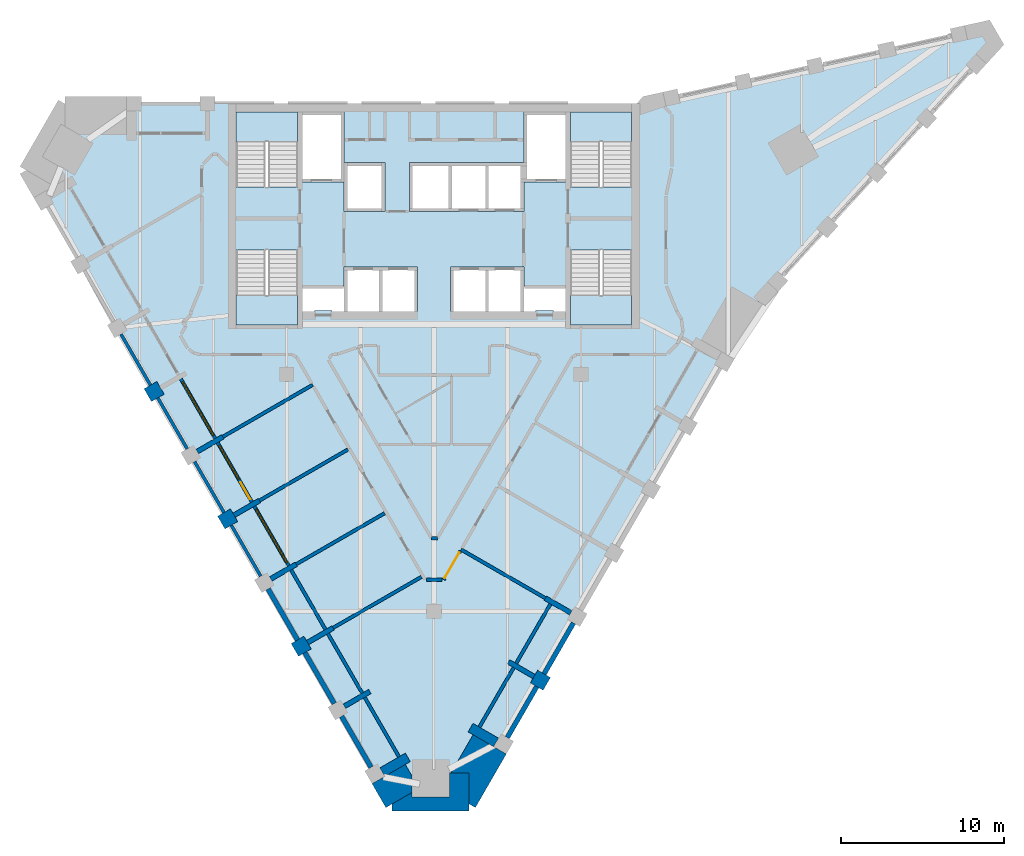
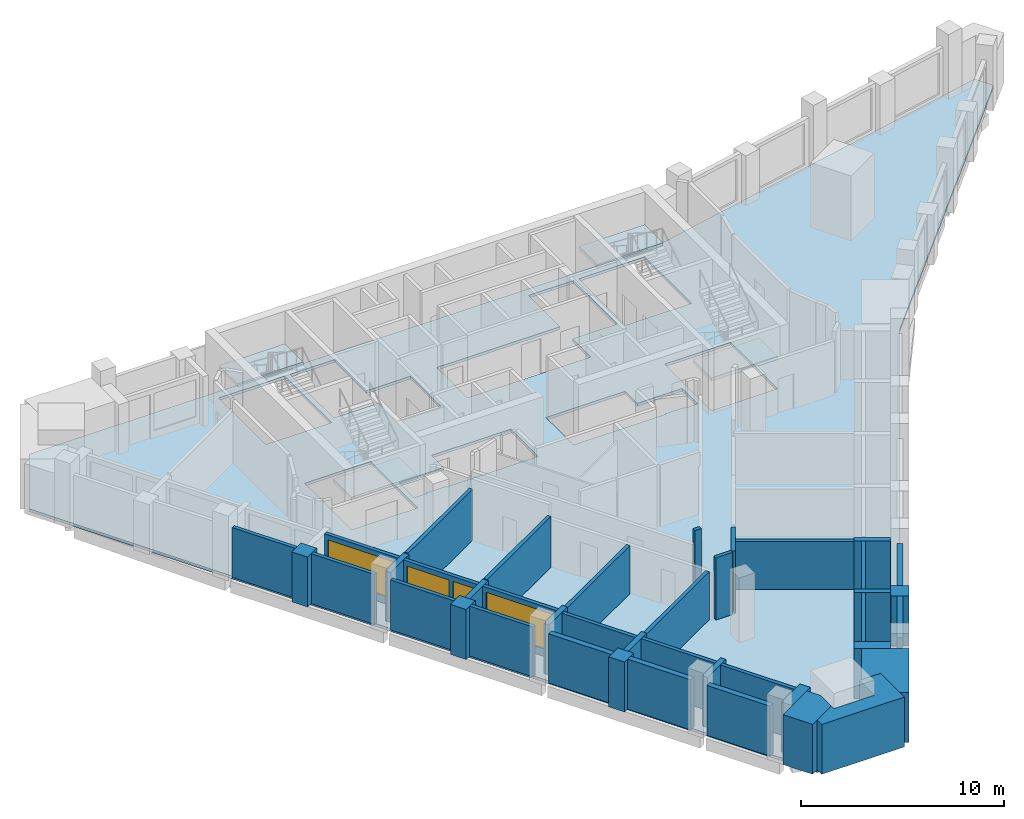
# One storey, part 2 of 8: 41 walls, 5 slabs, 3 windows, 2 doors, 5 openings, 4 elements without a shape of their own.
"""IFC4 building model written with IfcOpenShell, lengths in metres."""

from ifc_helpers import new_model, si_unit, direction, frame, frame_2d, origin, place, context, subcontext, project, spatial, polyline, rectangle, outline, extrude, material, layer, layer_set, type_object, element, fill, aggregate, save


model = new_model("IFC4")

# Units and contexts
model_context = context("Model", 3, precision=1e-05, world=origin(), true_north=direction((0.0, 1.0)))
body_context = subcontext(model_context, "Body", "Model", "MODEL_VIEW")
ifc_project = project(units=[si_unit("LENGTHUNIT", "METRE"), si_unit("AREAUNIT", "SQUARE_METRE"), si_unit("VOLUMEUNIT", "CUBIC_METRE"), si_unit("PLANEANGLEUNIT", "RADIAN"), si_unit("MASSUNIT", "GRAM", prefix="KILO")], contexts=[model_context])

# Site, building, storey
site_placement = place(None, origin())
site = spatial("IfcSite", under=ifc_project, at=site_placement, CompositionType="ELEMENT")
building_placement = place(site_placement, origin())
building = spatial("IfcBuilding", under=site, at=building_placement, Name="Calabash Gate Tower", CompositionType="ELEMENT")
storey_placement = place(building_placement, frame((0.0, 0.0, 252.10009765625)))
storey = spatial("IfcBuildingStorey", under=building, at=storey_placement, Name="L60", CompositionType="ELEMENT", Elevation=252.10009765625)

# Slab
ifc_material_1 = material(Name="Concrete C40/50", Category="concrete")
ifc_layer_1 = layer(ifc_material_1, 0.169921875)
ifc_layer_set_1 = layer_set([ifc_layer_1], Name="Composite floor slab 170 Concrete C40/50")
slab_type_1 = type_object("IfcSlabType", Name="Composite floor slab 170 Concrete C40/50", PredefinedType="FLOOR", material=ifc_layer_set_1)
slab_1_placement = place(storey_placement, frame((0.0, 0.0, -0.170166015625)))
element("IfcSlab", 1, at=slab_1_placement, inside=storey, type_object=slab_type_1, Name="Floor slab L60", PredefinedType="FLOOR", context=body_context, shape_type="SweptSolid", body=[
    extrude(outline(polyline([(-24.941650390625, 14.9833984375), (-22.59228515625, 19.052490234375), (12.88134765625, 19.052490234375), (33.783935546875, 23.664794921875), (34.326904296875, 22.724365234375), (19.88134765625, 6.92822265625), (2.14453125, -23.79296875), (-2.553955078125, -23.79296875), (-24.941650390625, 14.9833984375)]), holes=[polyline([(-1.0, 9.052490234375), (-3.25, 9.052490234375), (-5.5, 9.052490234375), (-5.5, 7.8525390625), (-8.050048828125, 7.8525390625), (-8.050048828125, 6.3525390625), (-7.324951171875, 6.3525390625), (-7.324951171875, 6.402587890625), (-6.22509765625, 6.402587890625), (-6.22509765625, 6.3525390625), (-5.5, 6.3525390625), (-3.25, 6.3525390625), (-1.0, 6.3525390625), (-1.0, 9.052490234375)]), polyline([(3.25, 6.3525390625), (5.5, 6.3525390625), (6.22509765625, 6.3525390625), (6.22509765625, 6.402587890625), (7.324951171875, 6.402587890625), (7.324951171875, 6.3525390625), (8.050048828125, 6.3525390625), (8.050048828125, 7.8525390625), (5.5, 7.8525390625), (5.5, 9.052490234375), (3.25, 9.052490234375), (1.0, 9.052490234375), (1.0, 6.3525390625), (3.25, 6.3525390625)]), polyline([(-5.5, 14.252685546875), (-5.5, 12.45263671875), (-3.0, 12.45263671875), (-3.0, 15.45263671875), (-5.5, 15.45263671875), (-5.5, 18.552490234375), (-8.050048828125, 18.552490234375), (-8.050048828125, 14.252685546875), (-5.5, 14.252685546875)]), polyline([(1.0, 15.45263671875), (-1.5, 15.45263671875), (-1.5, 12.45263671875), (1.0, 12.45263671875), (3.25, 12.45263671875), (5.5, 12.45263671875), (5.5, 14.252685546875), (8.050048828125, 14.252685546875), (8.050048828125, 18.552490234375), (5.5, 18.552490234375), (5.5, 15.45263671875), (3.25, 15.45263671875), (1.0, 15.45263671875)]), polyline([(-8.35009765625, 18.552490234375), (-12.10009765625, 18.552490234375), (-12.10009765625, 13.95263671875), (-8.35009765625, 13.95263671875), (-8.35009765625, 18.552490234375)]), polyline([(-12.10009765625, 10.1025390625), (-12.10009765625, 5.502685546875), (-8.35009765625, 5.502685546875), (-8.35009765625, 10.1025390625), (-12.10009765625, 10.1025390625)]), polyline([(8.35009765625, 13.95263671875), (12.10009765625, 13.95263671875), (12.10009765625, 18.552490234375), (8.35009765625, 18.552490234375), (8.35009765625, 13.95263671875)]), polyline([(12.10009765625, 5.502685546875), (12.10009765625, 10.1025390625), (8.35009765625, 10.1025390625), (8.35009765625, 5.502685546875), (12.10009765625, 5.502685546875)])]), origin(), (0.0, 0.0, 1.0), 0.170166015625),
])

# Stair, slab
ifc_material_2 = material(Name="Concrete C40/50", Category="concrete")
stair_type = type_object("IfcStairType", Name="Exit stair 22 risers of 177.3 mm", PredefinedType="HALF_TURN_STAIR", material=ifc_material_2)
stair_1_placement = place(storey_placement, origin())
stair_1 = element("IfcStair", 2, at=stair_1_placement, inside=storey, type_object=stair_type, Name="L60 Exit stair ST1", PredefinedType="HALF_TURN_STAIR")
ifc_material_3 = material(Name="Concrete C40/50", Category="concrete")
ifc_layer_2 = layer(ifc_material_3, 0.199951171875)
ifc_layer_set_2 = layer_set([ifc_layer_2], Name="Stair landing SL200")
slab_type_2 = type_object("IfcSlabType", Name="Stair landing SL200", PredefinedType="LANDING", material=ifc_layer_set_2)
slab_2_placement = place(storey_placement, frame((0.0, 0.0, 1.75)))
slab_2 = element("IfcSlab", 3, at=slab_2_placement, type_object=slab_type_2, Name="ST1 landing 1", PredefinedType="LANDING", context=body_context, shape_type="SweptSolid", body=[
    extrude(outline(polyline([(-8.35009765625, 16.74267578125), (-8.35009765625, 18.552490234375), (-12.10009765625, 18.552490234375), (-12.10009765625, 16.74267578125), (-8.35009765625, 16.74267578125)])), origin(), (0.0, 0.0, 1.0), 0.199951171875),
])
aggregate(stair_1, [slab_2])

stair_2_placement = place(storey_placement, origin())
stair_2 = element("IfcStair", 4, at=stair_2_placement, inside=storey, type_object=stair_type, Name="L60 Exit stair ST2", PredefinedType="HALF_TURN_STAIR")
slab_3_placement = place(storey_placement, frame((0.0, 0.0, 1.75)))
slab_3 = element("IfcSlab", 5, at=slab_3_placement, type_object=slab_type_2, Name="ST2 landing 1", PredefinedType="LANDING", context=body_context, shape_type="SweptSolid", body=[
    extrude(outline(polyline([(-12.10009765625, 7.3125), (-12.10009765625, 5.502685546875), (-8.35009765625, 5.502685546875), (-8.35009765625, 7.3125), (-12.10009765625, 7.3125)])), origin(), (0.0, 0.0, 1.0), 0.199951171875),
])
aggregate(stair_2, [slab_3])

stair_3_placement = place(storey_placement, origin())
stair_3 = element("IfcStair", 6, at=stair_3_placement, inside=storey, type_object=stair_type, Name="L60 Exit stair ST3", PredefinedType="HALF_TURN_STAIR")
slab_4_placement = place(storey_placement, frame((0.0, 0.0, 1.75)))
slab_4 = element("IfcSlab", 7, at=slab_4_placement, type_object=slab_type_2, Name="ST3 landing 1", PredefinedType="LANDING", context=body_context, shape_type="SweptSolid", body=[
    extrude(outline(polyline([(12.10009765625, 16.74267578125), (12.10009765625, 18.552490234375), (8.35009765625, 18.552490234375), (8.35009765625, 16.74267578125), (12.10009765625, 16.74267578125)])), origin(), (0.0, 0.0, 1.0), 0.199951171875),
])
aggregate(stair_3, [slab_4])

stair_4_placement = place(storey_placement, origin())
stair_4 = element("IfcStair", 8, at=stair_4_placement, inside=storey, type_object=stair_type, Name="L60 Exit stair ST4", PredefinedType="HALF_TURN_STAIR")
slab_5_placement = place(storey_placement, frame((0.0, 0.0, 1.75)))
slab_5 = element("IfcSlab", 9, at=slab_5_placement, type_object=slab_type_2, Name="ST4 landing 1", PredefinedType="LANDING", context=body_context, shape_type="SweptSolid", body=[
    extrude(outline(polyline([(8.35009765625, 7.3125), (8.35009765625, 5.502685546875), (12.10009765625, 5.502685546875), (12.10009765625, 7.3125), (8.35009765625, 7.3125)])), origin(), (0.0, 0.0, 1.0), 0.199951171875),
])
aggregate(stair_4, [slab_5])

# Walls
ifc_material_4 = material(Name="Terracotta brick masonry, exposed face", Category="masonry")
ifc_layer_3 = layer(ifc_material_4, 2.35009765625)
ifc_layer_set_3 = layer_set([ifc_layer_3], Name="Brick corner mass wall 2350")
wall_type_1 = type_object("IfcWallType", Name="Brick corner mass wall 2350", PredefinedType="SOLIDWALL", material=ifc_layer_set_3)
wall_1_placement = place(storey_placement, origin())
element("IfcWall", 10, at=wall_1_placement, inside=storey, type_object=wall_type_1, Name="Brick corner pier S17 1a", PredefinedType="SOLIDWALL", context=body_context, shape_type="SweptSolid", body=[
    extrude(outline(polyline([(-1.35302734375, -22.0732421875), (-1.75244140625, -21.381591796875), (-3.00830078125, -22.106689453125), (-3.00830078125, -22.106689453125), (-3.78759765625, -22.556640625), (-2.94384765625, -24.01806640625), (-1.35302734375, -23.099609375), (-1.35302734375, -22.0732421875)])), origin(), (0.0, 0.0, 1.0), 3.0),
])
wall_2_placement = place(storey_placement, origin())
element("IfcWall", 11, at=wall_2_placement, inside=storey, type_object=wall_type_1, Name="Brick corner pier S17 1b", PredefinedType="SOLIDWALL", context=body_context, shape_type="SweptSolid", body=[
    extrude(outline(polyline([(-1.35302734375, -23.365966796875), (-1.35302734375, -23.099609375), (-2.553955078125, -23.79296875), (-2.553955078125, -24.242919921875), (2.14453125, -24.242919921875), (2.14453125, -21.89306640625), (0.947021484375, -21.89306640625), (0.947021484375, -23.365966796875), (-1.35302734375, -23.365966796875)])), origin(), (0.0, 0.0, 1.0), 3.0),
])
wall_3_placement = place(storey_placement, origin())
element("IfcWall", 12, at=wall_3_placement, inside=storey, type_object=wall_type_1, Name="Brick corner pier S17 1c", PredefinedType="SOLIDWALL", context=body_context, shape_type="SweptSolid", body=[
    extrude(outline(polyline([(3.6484375, -20.28857421875), (2.392578125, -19.5634765625), (1.047607421875, -21.89306640625), (2.14453125, -21.89306640625), (2.14453125, -23.79296875), (2.5341796875, -24.01806640625), (4.427490234375, -20.73876953125), (3.648193359375, -20.288818359375), (3.6484375, -20.28857421875)])), origin(), (0.0, 0.0, 1.0), 3.0),
])
ifc_material_5 = material(Name="Terracotta brick masonry, exposed face", Category="masonry")
ifc_layer_4 = layer(ifc_material_5, 0.89990234375)
ifc_layer_set_4 = layer_set([ifc_layer_4], Name="Brick end wall 900")
wall_type_2 = type_object("IfcWallType", Name="Brick end wall 900", PredefinedType="SOLIDWALL", material=ifc_layer_set_4)
for number, where, z_axis, x_axis, name in (
    (13, (-17.512451171875, 1.2158203125, 0.0), (0.0, 0.0, 1.0), (0.865896406789, 0.500223362819, 0.0), "Brick pier S17 SW0.3"),
    (14, (-13.012451171875, -6.578369140625, 0.0), (0.0, 0.0, 1.0), (0.866013897511, 0.50001992892, 0.0), "Brick pier S17 SW0.5"),
):
    element("IfcWall", number, at=place(storey_placement, frame(where, z_axis=z_axis, x_axis=x_axis)), inside=storey, type_object=wall_type_2, Name=name, PredefinedType="SOLIDWALL", context=body_context, shape_type="SweptSolid", body=[
        extrude(rectangle(XDim=0.89990234375, YDim=0.89990234375, at=frame_2d((0.449951171875, 0.0))), origin(), (0.0, 0.0, 1.0), 3.0),
    ])
for number, where, z_axis, x_axis, name in (
    (15, (-7.89794921875, -14.537353515625, 0.0), (0.0, 0.0, 1.0), (-0.499902469156, 0.866081705922, 0.0), "Brick pier S17 SW0.7"),
    (16, (6.2880859375, -16.616455078125, 0.0), (0.0, 0.0, 1.0), (0.499902469156, 0.866081705922, 0.0), "Brick pier S17 SE2.1"),
):
    element("IfcWall", number, at=place(storey_placement, frame(where, z_axis=z_axis, x_axis=x_axis)), inside=storey, type_object=wall_type_2, Name=name, PredefinedType="SOLIDWALL", context=body_context, shape_type="SweptSolid", body=[
        extrude(rectangle(XDim=0.900146484375, YDim=0.89990234375, at=frame_2d((0.4501953125, 0.0))), origin(), (0.0, 0.0, 1.0), 3.0),
    ])
ifc_material_6 = material(Name="Terracotta brick masonry, exposed face", Category="masonry")
ifc_layer_5 = layer(ifc_material_6, 0.300048828125)
ifc_layer_set_5 = layer_set([ifc_layer_5], Name="Brick infill panel wall 300")
wall_type_3 = type_object("IfcWallType", Name="Brick infill panel wall 300", PredefinedType="SOLIDWALL", material=ifc_layer_set_5)
wall_4_placement = place(storey_placement, frame((-10.14794921875, -10.64013671875, 0.0), z_axis=(0.0, 0.0, 1.0), x_axis=(0.500012057535, -0.866018442252, 0.0)))
element("IfcWall", 17, at=wall_4_placement, inside=storey, type_object=wall_type_3, Name="Brick panel S17 SW0.7", PredefinedType="SOLIDWALL", context=body_context, shape_type="SweptSolid", body=[
    extrude(rectangle(XDim=3.60009765625, YDim=0.300048828125, at=frame_2d((1.800048828125, 0.0))), origin(), (0.0, 0.0, 1.0), 2.949951171875),
])
wall_5_placement = place(storey_placement, frame((-6.0986328125, -17.653564453125, 0.0), z_axis=(0.0, 0.0, 1.0), x_axis=(-0.500035678719, 0.866004803686, 0.0)))
element("IfcWall", 18, at=wall_5_placement, inside=storey, type_object=wall_type_3, Name="Brick panel S17 SW0.8", PredefinedType="SOLIDWALL", context=body_context, shape_type="SweptSolid", body=[
    extrude(rectangle(XDim=3.598388671875, YDim=0.300048828125, at=frame_2d((1.79931640625, 0.0))), origin(), (0.0, 0.0, 1.0), 3.0),
])
for number, where, z_axis, x_axis, name in (
    (19, (-5.64794921875, -18.434326171875, 0.0), (0.0, 0.0, 1.0), (0.500012057535, -0.866018442252, 0.0), "Brick panel S17 SW0.9"),
    (20, (4.488037109375, -19.734130859375, 0.0), (0.0, 0.0, 1.0), (0.500012057535, 0.866018442252, 0.0), "Brick panel S17 SE2.1"),
):
    element("IfcWall", number, at=place(storey_placement, frame(where, z_axis=z_axis, x_axis=x_axis)), inside=storey, type_object=wall_type_3, Name=name, PredefinedType="SOLIDWALL", context=body_context, shape_type="SweptSolid", body=[
        extrude(rectangle(XDim=3.60009765625, YDim=0.300048828125, at=frame_2d((1.800048828125, 0.0))), origin(), (0.0, 0.0, 1.0), 3.0),
    ])
wall_6_placement = place(storey_placement, frame((6.738037109375, -15.8369140625, 0.0), z_axis=(0.0, 0.0, 1.0), x_axis=(0.499990559667, 0.866030854095, 0.0)))
element("IfcWall", 21, at=wall_6_placement, inside=storey, type_object=wall_type_3, Name="Brick panel S17 SE2.2", PredefinedType="SOLIDWALL", context=body_context, shape_type="SweptSolid", body=[
    extrude(rectangle(XDim=3.599609375, YDim=0.300048828125, at=frame_2d((1.7998046875, 0.0))), origin(), (0.0, 0.0, 1.0), 3.0),
])
ifc_material_7 = material(Name="Terracotta brick masonry, exposed face", Category="masonry")
ifc_layer_6 = layer(ifc_material_7, 0.300048828125)
ifc_layer_set_6 = layer_set([ifc_layer_6], Name="Brick loggia cheek wall 300")
wall_type_4 = type_object("IfcWallType", Name="Brick loggia cheek wall 300", PredefinedType="SOLIDWALL", material=ifc_layer_set_6)
for number, where, z_axis, x_axis, name in (
    (22, (-14.483154296875, -2.231201171875, 0.0), (0.0, 0.0, 1.0), (0.866047807691, 0.499961193289, 0.0), "Loggia cheek S17 SW0.4"),
    (23, (-12.233154296875, -6.12841796875, 0.0), (0.0, 0.0, 1.0), (0.865989075817, 0.500062916607, 0.0), "Loggia cheek S17 SW0.5"),
    (24, (-9.983154296875, -10.025390625, 0.0), (0.0, 0.0, 1.0), (0.866047807691, 0.499961193289, 0.0), "Loggia cheek S17 SW0.6"),
    (25, (-6.17431640625, -13.0224609375, 0.0), (0.0, 0.0, 1.0), (-0.865989075817, -0.500062916607, 0.0), "Loggia cheek S17 SW0.7"),
):
    element("IfcWall", number, at=place(storey_placement, frame(where, z_axis=z_axis, x_axis=x_axis)), inside=storey, type_object=wall_type_4, Name=name, PredefinedType="SOLIDWALL", context=body_context, shape_type="SweptSolid", body=[
        extrude(rectangle(XDim=1.800048828125, YDim=0.300048828125, at=frame_2d((0.89990234375, 0.0))), origin(), (0.0, 0.0, 1.0), 3.0),
    ])
wall_7_placement = place(storey_placement, frame((-3.92431640625, -16.919677734375, 0.0), z_axis=(0.0, 0.0, 1.0), x_axis=(-0.866004803686, -0.500035678719, 0.0)))
element("IfcWall", 26, at=wall_7_placement, inside=storey, type_object=wall_type_4, Name="Loggia cheek S17 SW0.8", PredefinedType="SOLIDWALL", context=body_context, shape_type="SweptSolid", body=[
    extrude(rectangle(XDim=1.799072265625, YDim=0.300048828125, at=frame_2d((0.8994140625, 0.0))), origin(), (0.0, 0.0, 1.0), 3.0),
])
for number, where, z_axis, x_axis, name in (
    (27, (-3.158203125, -21.8466796875, 0.0), (0.0, 0.0, 1.0), (0.866047807691, 0.499961193289, 0.0), "Loggia cheek S17 SW0.9"),
    (28, (3.79833984375, -20.028564453125, 0.0), (0.0, 0.0, 1.0), (-0.866047807691, 0.499961193289, 0.0), "Loggia cheek S17 SE2.0"),
):
    element("IfcWall", number, at=place(storey_placement, frame(where, z_axis=z_axis, x_axis=x_axis)), inside=storey, type_object=wall_type_4, Name=name, PredefinedType="SOLIDWALL", context=body_context, shape_type="SweptSolid", body=[
        extrude(rectangle(XDim=1.800048828125, YDim=0.60009765625, at=frame_2d((0.89990234375, 0.0))), origin(), (0.0, 0.0, 1.0), 3.0),
    ])
wall_8_placement = place(storey_placement, frame((6.123291015625, -16.001708984375, 0.0), z_axis=(0.0, 0.0, 1.0), x_axis=(-0.865989075817, 0.500062916607, 0.0)))
element("IfcWall", 29, at=wall_8_placement, inside=storey, type_object=wall_type_4, Name="Loggia cheek S17 SE2.1", PredefinedType="SOLIDWALL", context=body_context, shape_type="SweptSolid", body=[
    extrude(rectangle(XDim=1.800048828125, YDim=0.300048828125, at=frame_2d((0.89990234375, 0.0))), origin(), (0.0, 0.0, 1.0), 3.0),
])
wall_9_placement = place(storey_placement, frame((8.373291015625, -12.1044921875, 0.0), z_axis=(0.0, 0.0, 1.0), x_axis=(-0.866047807691, 0.499961193289, 0.0)))
element("IfcWall", 30, at=wall_9_placement, inside=storey, type_object=wall_type_4, Name="Loggia cheek S17 SE2.2", PredefinedType="SOLIDWALL", context=body_context, shape_type="SweptSolid", body=[
    extrude(rectangle(XDim=1.800048828125, YDim=0.300048828125, at=frame_2d((0.89990234375, 0.0))), origin(), (0.0, 0.0, 1.0), 2.949951171875),
])
ifc_material_8 = material(Name="Gypsum board on steel studs, mineral wool", Category="steel")
ifc_layer_7 = layer(ifc_material_8, 0.199951171875)
ifc_layer_set_7 = layer_set([ifc_layer_7], Name="Partition 200 gypsum board EI 60")
wall_type_5 = type_object("IfcWallType", Name="Partition 200 gypsum board EI 60", PredefinedType="PARTITIONING", material=ifc_layer_set_7)
wall_10_placement = place(storey_placement, frame((-6.174072265625, -13.02294921875, 0.0), z_axis=(0.0, 0.0, 1.0), x_axis=(0.866143960209, 0.499794598003, 0.0)))
element("IfcWall", 31, at=wall_10_placement, inside=storey, type_object=wall_type_5, Name="Partition", PredefinedType="PARTITIONING", context=body_context, shape_type="SweptSolid", body=[
    extrude(rectangle(XDim=6.249755859375, YDim=0.199951171875, at=frame_2d((3.125, 0.0))), origin(), (0.0, 0.0, 1.0), 2.884033203125),
])
wall_11_placement = place(storey_placement, frame((-0.4453125, -10.072509765625, 0.0), z_axis=(0.0, 0.0, 1.0), x_axis=(1.0, 0.0, 0.0)))
element("IfcWall", 32, at=wall_11_placement, inside=storey, type_object=wall_type_5, Name="Partition", PredefinedType="PARTITIONING", context=body_context, shape_type="SweptSolid", body=[
    extrude(rectangle(XDim=0.943359375, YDim=0.199951171875, at=frame_2d((0.4716796875, 0.0))), origin(), (0.0, 0.0, 1.0), 3.72998046875),
])

# Wall, opening, door
wall_12_placement = place(storey_placement, frame((0.597900390625, -10.072509765625, 0.0), z_axis=(0.0, 0.0, 1.0), x_axis=(0.500670744682, 0.865637802675, 0.0)))
wall_12 = element("IfcWall", 33, at=wall_12_placement, inside=storey, type_object=wall_type_5, Name="Partition", PredefinedType="PARTITIONING", context=body_context, shape_type="SweptSolid", body=[
    extrude(rectangle(XDim=2.027587890625, YDim=0.199951171875, at=frame_2d((1.013671875, 0.0))), origin(), (0.0, 0.0, 1.0), 3.72998046875),
])
opening_1_placement = place(wall_12_placement, frame((0.10693359375, 0.0, 0.0)))
opening_1 = element("IfcOpeningElement", 34, at=opening_1_placement, cuts=wall_12, Name="Opening 59-61-012", PredefinedType="OPENING", context=body_context, shape_type="SweptSolid", body=[
    extrude(rectangle(XDim=1.800048828125, YDim=2.39990234375, at=frame_2d((0.89990234375, 1.199951171875))), frame((0.0, 0.10986328125, 0.0), z_axis=(0.0, -1.0, 0.0), x_axis=(1.0, 0.0, 0.0)), (0.0, 0.0, 1.0), 0.219970703125),
])
ifc_material_9 = material(Name="Steel fire door set with fire-resisting glazing", Category="steel")
door_type_1 = type_object("IfcDoorType", Name="OD5 Open office double door 1800x2400", OperationType="NOTDEFINED", PredefinedType="DOOR", material=ifc_material_9)
door_1_placement = place(opening_1_placement, origin())
door_1 = element("IfcDoor", 35, at=door_1_placement, inside=storey, type_object=door_type_1, Name="Open office double door", OperationType="DOUBLE_DOOR_SINGLE_SWING", OverallHeight=2.39990234375, OverallWidth=1.800048828125, PredefinedType="DOOR", context=body_context, shape_type="SweptSolid", body=[
    extrude(rectangle(XDim=1.800048828125, YDim=2.39990234375, at=frame_2d((0.89990234375, 1.199951171875))), frame((0.0, 0.02490234375, 0.0), z_axis=(0.0, -1.0, 0.0), x_axis=(1.0, 0.0, 0.0)), (0.0, 0.0, 1.0), 0.050048828125),
])
fill(opening_1, door_1)

# Walls
wall_13_placement = place(storey_placement, frame((1.660888671875, -8.2314453125, 0.0), z_axis=(0.0, 0.0, 1.0), x_axis=(0.866162357873, -0.499762713499, 0.0)))
element("IfcWall", 36, at=wall_13_placement, inside=storey, type_object=wall_type_5, Name="Partition", PredefinedType="PARTITIONING", context=body_context, shape_type="SweptSolid", body=[
    extrude(rectangle(XDim=5.94970703125, YDim=0.199951171875, at=frame_2d((2.974853515625, 0.0))), origin(), (0.0, 0.0, 1.0), 2.884033203125),
])
wall_14_placement = place(storey_placement, frame((-0.160888671875, -7.530029296875, 0.0), z_axis=(0.0, 0.0, 1.0), x_axis=(0.999986611797, -0.005174574964, 0.0)))
element("IfcWall", 37, at=wall_14_placement, inside=storey, type_object=wall_type_5, Name="Partition", PredefinedType="PARTITIONING", context=body_context, shape_type="SweptSolid", body=[
    extrude(rectangle(XDim=0.37744140625, YDim=0.199951171875, at=frame_2d((0.188720703125, 0.0))), origin(), (0.0, 0.0, 1.0), 3.72998046875),
])
wall_15_placement = place(storey_placement, frame((-8.42431640625, -9.12548828125, 0.0), z_axis=(0.0, 0.0, 1.0), x_axis=(0.866180383398, 0.499731471309, 0.0)))
element("IfcWall", 38, at=wall_15_placement, inside=storey, type_object=wall_type_5, Name="Partition", PredefinedType="PARTITIONING", context=body_context, shape_type="SweptSolid", body=[
    extrude(rectangle(XDim=6.25, YDim=0.199951171875, at=frame_2d((3.125, 0.0))), origin(), (0.0, 0.0, 1.0), 2.884033203125),
])
wall_16_placement = place(storey_placement, frame((-10.67431640625, -5.228515625, 0.0), z_axis=(0.0, 0.0, 1.0), x_axis=(0.866163474566, 0.4997607781, 0.0)))
element("IfcWall", 39, at=wall_16_placement, inside=storey, type_object=wall_type_5, Name="Partition", PredefinedType="PARTITIONING", context=body_context, shape_type="SweptSolid", body=[
    extrude(rectangle(XDim=6.25, YDim=0.199951171875, at=frame_2d((3.125, 0.0))), origin(), (0.0, 0.0, 1.0), 3.0517578125),
])
wall_17_placement = place(storey_placement, frame((-12.924560546875, -1.330810546875, 0.0), z_axis=(0.0, 0.0, 1.0), x_axis=(0.865907634831, 0.500203926355, 0.0)))
element("IfcWall", 40, at=wall_17_placement, inside=storey, type_object=wall_type_5, Name="Partition", PredefinedType="PARTITIONING", context=body_context, shape_type="SweptSolid", body=[
    extrude(rectangle(XDim=6.349365234375, YDim=0.199951171875, at=frame_2d((3.1748046875, 0.0))), origin(), (0.0, 0.0, 1.0), 3.0517578125),
])
ifc_material_10 = material(Name="Terracotta brick masonry, perforated", Category="masonry")
ifc_layer_8 = layer(ifc_material_10, 0.199951171875)
ifc_layer_set_8 = layer_set([ifc_layer_8], Name="Terracotta jaali screen A")
wall_type_6 = type_object("IfcWallType", Name="Terracotta jaali screen A", PredefinedType="SOLIDWALL", material=ifc_layer_set_8)
for number, where, z_axis, x_axis, name in (
    (41, (-19.14794921875, 4.9482421875, 0.0), (0.0, 0.0, 1.0), (0.500012057535, -0.866018442252, 0.0), "SCREEN A S17 SW0.3"),
    (42, (-16.89794921875, 1.05126953125, 0.0), (0.0, 0.0, 1.0), (0.500012057535, -0.866018442252, 0.0), "SCREEN A S17 SW0.4"),
    (43, (-14.64794921875, -2.845947265625, 0.0), (0.0, 0.0, 1.0), (0.500012057535, -0.866018442252, 0.0), "SCREEN A S17 SW0.5"),
    (44, (-12.39794921875, -6.7431640625, 0.0), (0.0, 0.0, 1.0), (0.500012057535, -0.866018442252, 0.0), "SCREEN A S17 SW0.6"),
):
    element("IfcWall", number, at=place(storey_placement, frame(where, z_axis=z_axis, x_axis=x_axis)), inside=storey, type_object=wall_type_6, Name=name, PredefinedType="SOLIDWALL", context=body_context, shape_type="SweptSolid", body=[
        extrude(rectangle(XDim=3.60009765625, YDim=0.199951171875, at=frame_2d((1.800048828125, 0.0))), origin(), (0.0, 0.0, 1.0), 3.0),
    ])

# Wall, opening, window
ifc_material_11 = material(Name="Aluminium framed window wall with insulated spandrel", Category="aluminium")
ifc_layer_9 = layer(ifc_material_11, 0.199951171875)
ifc_layer_set_9 = layer_set([ifc_layer_9], Name="Window wall 200")
wall_type_7 = type_object("IfcWallType", Name="Window wall 200", PredefinedType="ELEMENTEDWALL", material=ifc_layer_set_9)
wall_18_placement = place(storey_placement, frame((-15.489013671875, 2.2109375, 0.0), z_axis=(0.0, 0.0, 1.0), x_axis=(0.500027713859, -0.866009402589, 0.0)))
wall_18 = element("IfcWall", 45, at=wall_18_placement, inside=storey, type_object=wall_type_7, Name="Window wall S17 SW0.4", PredefinedType="ELEMENTEDWALL", context=body_context, shape_type="SweptSolid", body=[
    extrude(rectangle(XDim=4.199951171875, YDim=0.199951171875, at=frame_2d((2.10009765625, 0.0))), origin(), (0.0, 0.0, 1.0), 3.0),
])
opening_2_placement = place(wall_18_placement, frame((0.199951171875, 0.0, 0.449951171875)))
opening_2 = element("IfcOpeningElement", 46, at=opening_2_placement, cuts=wall_18, Name="Opening OW2", PredefinedType="OPENING", context=body_context, shape_type="SweptSolid", body=[
    extrude(rectangle(XDim=3.800048828125, YDim=2.25, at=frame_2d((1.89990234375, 1.125))), frame((0.0, 0.10986328125, 0.0), z_axis=(0.0, -1.0, 0.0), x_axis=(1.0, 0.0, 0.0)), (0.0, 0.0, 1.0), 0.219970703125),
])
ifc_material_12 = material(Name="Anodised aluminium frame, bronze finish, impact-rated laminated clear glazing", Category="aluminium")
window_type_1 = type_object("IfcWindowType", Name="Window OW2 3800x2250", PartitioningType="TRIPLE_PANEL_VERTICAL", PredefinedType="WINDOW", material=ifc_material_12)
window_1_placement = place(opening_2_placement, origin())
window_1 = element("IfcWindow", 47, at=window_1_placement, inside=storey, type_object=window_type_1, Name="Window OW2 S17 SW0.4", OverallHeight=2.25, OverallWidth=3.800048828125, PartitioningType="SINGLE_PANEL", PredefinedType="WINDOW", context=body_context, shape_type="SweptSolid", body=[
    extrude(rectangle(XDim=3.800048828125, YDim=2.25, at=frame_2d((1.89990234375, 1.125))), frame((0.0, 0.030029296875, 0.0), z_axis=(0.0, -1.0, 0.0), x_axis=(1.0, 0.0, 0.0)), (0.0, 0.0, 1.0), 0.06005859375),
])
fill(opening_2, window_1)

# Wall, openings, door, window
wall_19_placement = place(storey_placement, frame((-13.239013671875, -1.68603515625, 0.0), z_axis=(0.0, 0.0, 1.0), x_axis=(0.500002543286, -0.866023935413, 0.0)))
wall_19 = element("IfcWall", 48, at=wall_19_placement, inside=storey, type_object=wall_type_7, Name="Window wall S17 SW0.5", PredefinedType="ELEMENTEDWALL", context=body_context, shape_type="SweptSolid", body=[
    extrude(rectangle(XDim=4.2001953125, YDim=0.199951171875, at=frame_2d((2.10009765625, 0.0))), origin(), (0.0, 0.0, 1.0), 3.0),
])
opening_3_placement = place(wall_19_placement, frame((0.199951171875, 0.0, 0.449951171875)))
opening_3 = element("IfcOpeningElement", 49, at=opening_3_placement, cuts=wall_19, Name="Opening OW1", PredefinedType="OPENING", context=body_context, shape_type="SweptSolid", body=[
    extrude(rectangle(XDim=2.39990234375, YDim=2.25, at=frame_2d((1.199951171875, 1.125))), frame((0.0, 0.10986328125, 0.0), z_axis=(0.0, -1.0, 0.0), x_axis=(1.0, 0.0, 0.0)), (0.0, 0.0, 1.0), 0.219970703125),
])
opening_4_placement = place(wall_19_placement, frame((2.800048828125, 0.0, 0.0)))
opening_4 = element("IfcOpeningElement", 50, at=opening_4_placement, cuts=wall_19, Name="Opening O9-019", PredefinedType="OPENING", context=body_context, shape_type="SweptSolid", body=[
    extrude(rectangle(XDim=1.199951171875, YDim=2.699951171875, at=frame_2d((0.60009765625, 1.35009765625))), frame((0.0, 0.10986328125, 0.0), z_axis=(0.0, -1.0, 0.0), x_axis=(1.0, 0.0, 0.0)), (0.0, 0.0, 1.0), 0.219970703125),
])
ifc_material_13 = material(Name="Anodised aluminium frame, bronze finish, impact-rated laminated clear glazing", Category="aluminium")
door_type_2 = type_object("IfcDoorType", Name="Loggia door DO1 1200x2700", OperationType="SLIDING_TO_LEFT", PredefinedType="DOOR", material=ifc_material_13)
door_2_placement = place(opening_4_placement, origin())
door_2 = element("IfcDoor", 51, at=door_2_placement, inside=storey, type_object=door_type_2, Name="Loggia door S17 SW0.5", OperationType="SINGLE_SWING_LEFT", OverallHeight=2.699951171875, OverallWidth=1.199951171875, PredefinedType="DOOR", context=body_context, shape_type="SweptSolid", body=[
    extrude(rectangle(XDim=1.199951171875, YDim=2.699951171875, at=frame_2d((0.60009765625, 1.35009765625))), frame((0.0, 0.02490234375, 0.0), z_axis=(0.0, -1.0, 0.0), x_axis=(1.0, 0.0, 0.0)), (0.0, 0.0, 1.0), 0.050048828125),
])
fill(opening_4, door_2)
ifc_material_14 = material(Name="Anodised aluminium frame, bronze finish, impact-rated laminated clear glazing", Category="aluminium")
window_type_2 = type_object("IfcWindowType", Name="Window OW1 2400x2250", PartitioningType="DOUBLE_PANEL_VERTICAL", PredefinedType="WINDOW", material=ifc_material_14)
window_2_placement = place(opening_3_placement, origin())
window_2 = element("IfcWindow", 52, at=window_2_placement, inside=storey, type_object=window_type_2, Name="Window OW1 S17 SW0.5", OverallHeight=2.25, OverallWidth=2.39990234375, PartitioningType="SINGLE_PANEL", PredefinedType="WINDOW", context=body_context, shape_type="SweptSolid", body=[
    extrude(rectangle(XDim=2.39990234375, YDim=2.25, at=frame_2d((1.199951171875, 1.125))), frame((0.0, 0.030029296875, 0.0), z_axis=(0.0, -1.0, 0.0), x_axis=(1.0, 0.0, 0.0)), (0.0, 0.0, 1.0), 0.06005859375),
])
fill(opening_3, window_2)

# Wall, opening, window
wall_20_placement = place(storey_placement, frame((-10.989013671875, -5.583251953125, 0.0), z_axis=(0.0, 0.0, 1.0), x_axis=(0.500027713859, -0.866009402589, 0.0)))
wall_20 = element("IfcWall", 53, at=wall_20_placement, inside=storey, type_object=wall_type_7, Name="Window wall S17 SW0.6", PredefinedType="ELEMENTEDWALL", context=body_context, shape_type="SweptSolid", body=[
    extrude(rectangle(XDim=4.199951171875, YDim=0.199951171875, at=frame_2d((2.10009765625, 0.0))), origin(), (0.0, 0.0, 1.0), 3.0),
])
opening_5_placement = place(wall_20_placement, frame((0.199951171875, 0.0, 0.449951171875)))
opening_5 = element("IfcOpeningElement", 54, at=opening_5_placement, cuts=wall_20, Name="Opening OW2", PredefinedType="OPENING", context=body_context, shape_type="SweptSolid", body=[
    extrude(rectangle(XDim=3.800048828125, YDim=2.25, at=frame_2d((1.89990234375, 1.125))), frame((0.0, 0.10986328125, 0.0), z_axis=(0.0, -1.0, 0.0), x_axis=(1.0, 0.0, 0.0)), (0.0, 0.0, 1.0), 0.219970703125),
])
window_3_placement = place(opening_5_placement, origin())
window_3 = element("IfcWindow", 55, at=window_3_placement, inside=storey, type_object=window_type_1, Name="Window OW2 S17 SW0.6", OverallHeight=2.25, OverallWidth=3.800048828125, PartitioningType="SINGLE_PANEL", PredefinedType="WINDOW", context=body_context, shape_type="SweptSolid", body=[
    extrude(rectangle(XDim=3.800048828125, YDim=2.25, at=frame_2d((1.89990234375, 1.125))), frame((0.0, 0.030029296875, 0.0), z_axis=(0.0, -1.0, 0.0), x_axis=(1.0, 0.0, 0.0)), (0.0, 0.0, 1.0), 0.06005859375),
])
fill(opening_5, window_3)

# Walls
wall_21_placement = place(storey_placement, frame((-8.739013671875, -9.48046875, 0.0), z_axis=(0.0, 0.0, 1.0), x_axis=(0.500027713859, -0.866009402589, 0.0)))
element("IfcWall", 56, at=wall_21_placement, inside=storey, type_object=wall_type_7, Name="Window wall S17 SW0.7", PredefinedType="ELEMENTEDWALL", context=body_context, shape_type="SweptSolid", body=[
    extrude(rectangle(XDim=4.199951171875, YDim=0.199951171875, at=frame_2d((2.10009765625, 0.0))), origin(), (0.0, 0.0, 1.0), 2.949951171875),
])
wall_22_placement = place(storey_placement, frame((-6.489013671875, -13.37744140625, 0.0), z_axis=(0.0, 0.0, 1.0), x_axis=(0.500002543286, -0.866023935413, 0.0)))
element("IfcWall", 57, at=wall_22_placement, inside=storey, type_object=wall_type_7, Name="Window wall S17 SW0.8", PredefinedType="ELEMENTEDWALL", context=body_context, shape_type="SweptSolid", body=[
    extrude(rectangle(XDim=4.2001953125, YDim=0.199951171875, at=frame_2d((2.10009765625, 0.0))), origin(), (0.0, 0.0, 1.0), 3.0),
])
for number, where, z_axis, x_axis, name in (
    (58, (-4.239013671875, -17.274658203125, 0.0), (0.0, 0.0, 1.0), (0.500027713859, -0.866009402589, 0.0), "Window wall S17 SW0.9"),
    (59, (2.779052734375, -19.09375, 0.0), (0.0, 0.0, 1.0), (0.500027713859, 0.866009402589, 0.0), "Window wall S17 SE2.1"),
):
    element("IfcWall", number, at=place(storey_placement, frame(where, z_axis=z_axis, x_axis=x_axis)), inside=storey, type_object=wall_type_7, Name=name, PredefinedType="ELEMENTEDWALL", context=body_context, shape_type="SweptSolid", body=[
        extrude(rectangle(XDim=4.199951171875, YDim=0.199951171875, at=frame_2d((2.10009765625, 0.0))), origin(), (0.0, 0.0, 1.0), 3.0),
    ])
wall_23_placement = place(storey_placement, frame((5.029052734375, -15.19677734375, 0.0), z_axis=(0.0, 0.0, 1.0), x_axis=(0.500002543286, 0.866023935413, 0.0)))
element("IfcWall", 60, at=wall_23_placement, inside=storey, type_object=wall_type_7, Name="Window wall S17 SE2.2", PredefinedType="ELEMENTEDWALL", context=body_context, shape_type="SweptSolid", body=[
    extrude(rectangle(XDim=4.2001953125, YDim=0.199951171875, at=frame_2d((2.10009765625, 0.0))), origin(), (0.0, 0.0, 1.0), 2.949951171875),
])

save(model, "model.ifc")
